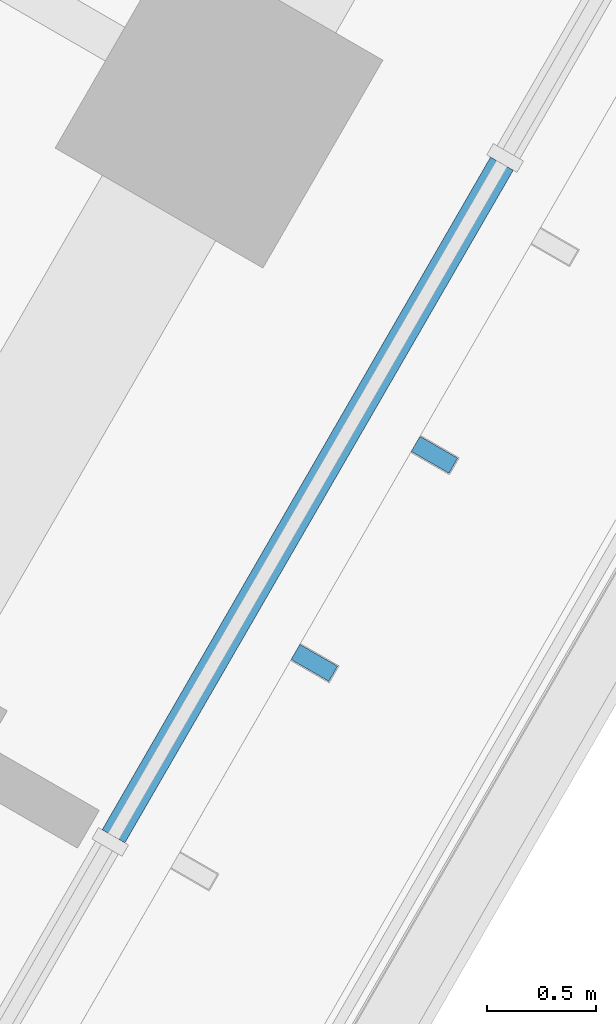
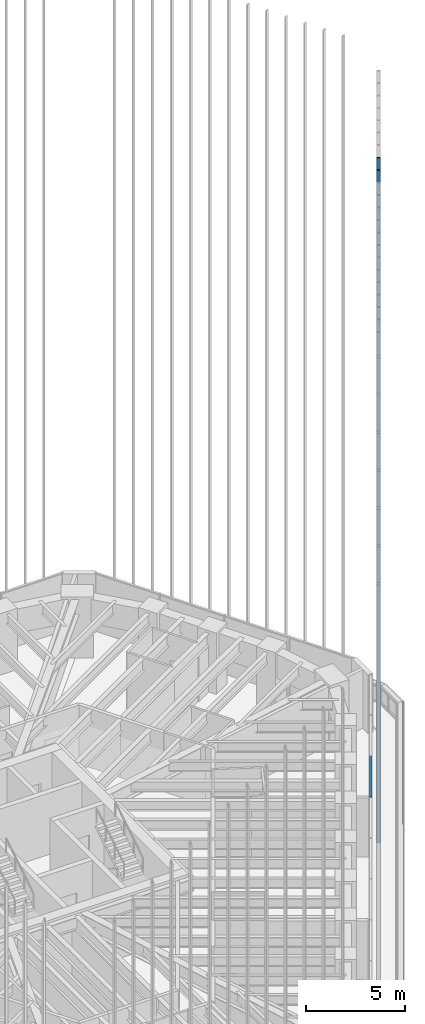
# One storey, part 49 of 127: 3 members, 1 element without a shape of its own.
"""IFC4 building model written with IfcOpenShell, lengths in metres."""

from ifc_helpers import new_model, si_unit, direction, frame, origin, origin_2d, place, context, subcontext, project, spatial, rectangle, extrude, material, material_profile, profile_set, type_object, element, aggregate, save


model = new_model("IFC4")

# Units and contexts
model_context = context("Model", 3, precision=1e-05, world=origin(), true_north=direction((0.0, 1.0)))
body_context = subcontext(model_context, "Body", "Model", "MODEL_VIEW")
ifc_project = project(units=[si_unit("LENGTHUNIT", "METRE"), si_unit("AREAUNIT", "SQUARE_METRE"), si_unit("VOLUMEUNIT", "CUBIC_METRE"), si_unit("PLANEANGLEUNIT", "RADIAN"), si_unit("MASSUNIT", "GRAM", prefix="KILO")], contexts=[model_context])

# Site, building, storey
site_placement = place(None, origin())
site = spatial("IfcSite", under=ifc_project, at=site_placement, CompositionType="ELEMENT")
building_placement = place(site_placement, origin())
building = spatial("IfcBuilding", under=site, at=building_placement, Name="Sandreach Pilgrim Tower", CompositionType="ELEMENT")
storey_placement = place(building_placement, frame((0.0, 0.0, 257.0)))
storey = spatial("IfcBuildingStorey", under=building, at=storey_placement, Name="L64", CompositionType="ELEMENT", Elevation=257.0)

# Curtain wall, members
ifc_material_1 = material(Name="Aluminium framed curtain wall", Category="aluminium")
curtain_wall_type = type_object("IfcCurtainWallType", Name="Suite tower curtain wall", PredefinedType="NOTDEFINED", material=ifc_material_1)
curtain_wall_placement = place(storey_placement, origin())
curtain_wall = element("IfcCurtainWall", 1, at=curtain_wall_placement, inside=storey, type_object=curtain_wall_type, Name="CW-4 L64 SE", PredefinedType="NOTDEFINED")
ifc_material_2 = material(Name="Aluminium extrusion", Category="aluminium")
ifc_material_profile_1 = material_profile(ifc_material_2, rectangle(XDim=0.1201171875, YDim=0.070068359375, at=origin_2d()), Name="CW-4T 120X70")
ifc_profile_set_1 = profile_set([ifc_material_profile_1], Name="Aluminium extrusion")
member_type_1 = type_object("IfcMemberType", Name="CW-4 transom", PredefinedType="USERDEFINED", material=ifc_profile_set_1)
member_1_placement = place(storey_placement, frame((21.6826171875, -2.09765625, 3.60498046875), z_axis=(-0.500009219579, -0.866020080793, 0.0), x_axis=(0.866020080793, -0.500009219579, 0.0)))
member_1 = element("IfcMember", 2, at=member_1_placement, type_object=member_type_1, Name="CW-4 head transom 3", ObjectType="TRANSOM", PredefinedType="USERDEFINED", context=body_context, shape_type="SweptSolid", body=[
    extrude(rectangle(XDim=0.1201171875, YDim=0.070068359375, at=origin_2d()), origin(), (0.0, 0.0, 1.0), 3.56201171875),
])
ifc_material_3 = material(Name="Extruded terracotta on aluminium core", Category="masonry")
ifc_material_profile_2 = material_profile(ifc_material_3, rectangle(XDim=0.080078125, YDim=0.199951171875, at=origin_2d()), Name="TBE 80X200")
ifc_profile_set_2 = profile_set([ifc_material_profile_2], Name="Extruded terracotta on aluminium core")
member_type_2 = type_object("IfcMemberType", Name="Terracotta baguette east", PredefinedType="USERDEFINED", material=ifc_profile_set_2)
member_2_placement = place(storey_placement, frame((21.37353515625, -3.432861328125, 0.0), z_axis=(0.0, 0.0, 1.0), x_axis=(-0.5, -0.866025403784, 0.0)))
member_2 = element("IfcMember", 3, at=member_2_placement, type_object=member_type_2, Name="Baguette Z4 SE08", ObjectType="BAGUETTE", PredefinedType="USERDEFINED", context=body_context, shape_type="SweptSolid", body=[
    extrude(rectangle(XDim=0.080078125, YDim=0.199951171875, at=origin_2d()), origin(), (0.0, 0.0, 1.0), 41.639892578125),
])
member_3_placement = place(storey_placement, frame((20.822509765625, -4.38720703125, 0.0), z_axis=(0.0, 0.0, 1.0), x_axis=(-0.5, -0.866025403784, 0.0)))
member_3 = element("IfcMember", 4, at=member_3_placement, type_object=member_type_2, Name="Baguette Z4 SE09", ObjectType="BAGUETTE", PredefinedType="USERDEFINED", context=body_context, shape_type="SweptSolid", body=[
    extrude(rectangle(XDim=0.080078125, YDim=0.199951171875, at=origin_2d()), origin(), (0.0, 0.0, 1.0), 41.639892578125),
])
aggregate(curtain_wall, [member_1, member_2, member_3])

save(model, "model.ifc")
